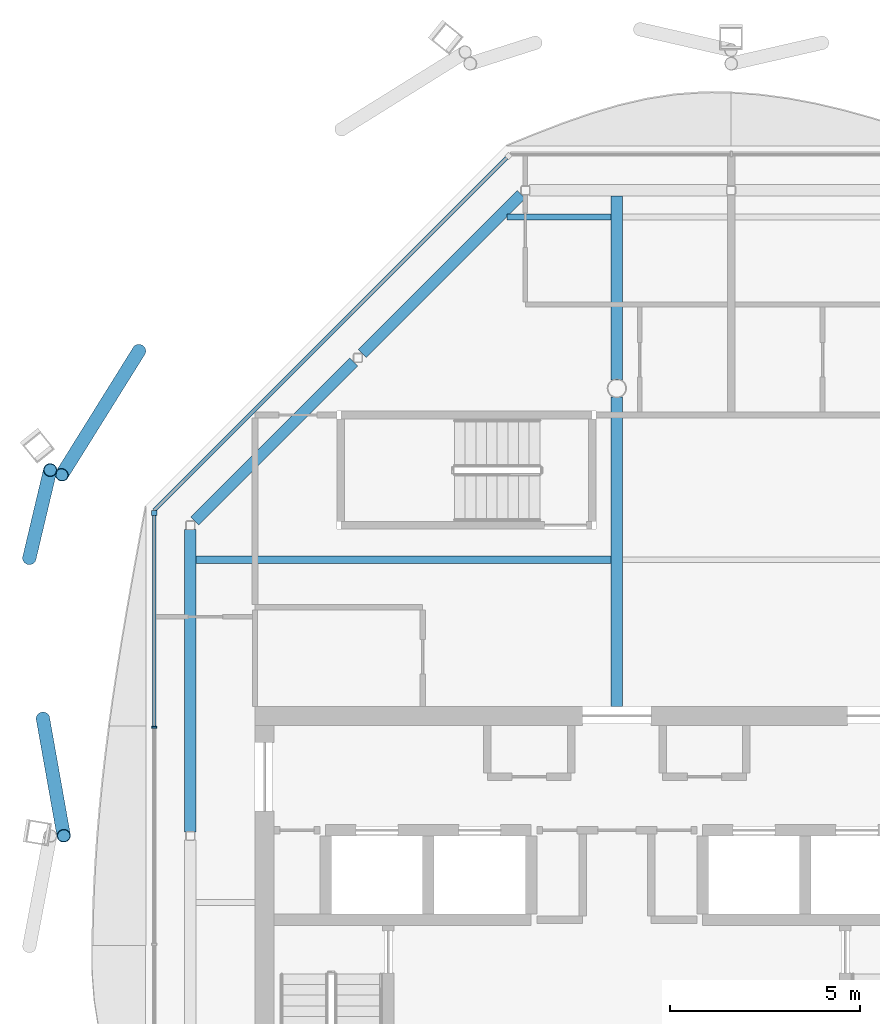
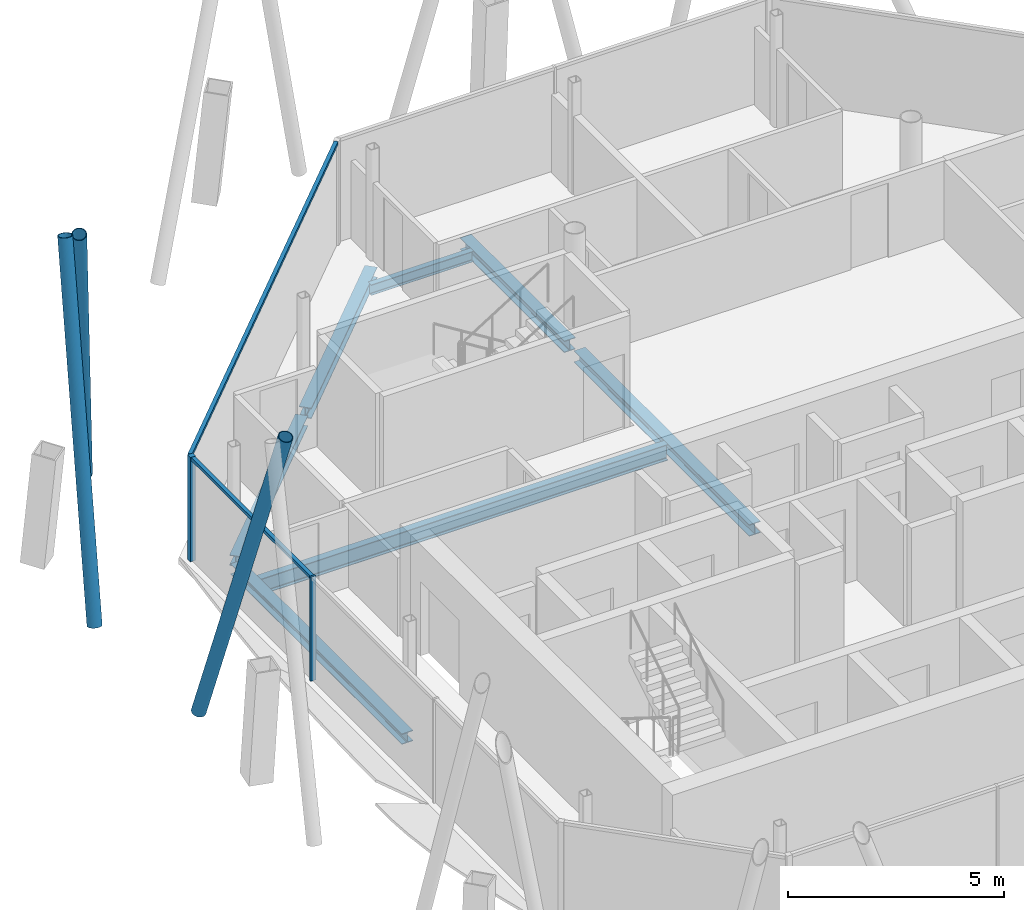
# One storey, part 5 of 14: 7 beams, 7 members, 2 elements without a shape of their own.
"""IFC4 building model written with IfcOpenShell, lengths in metres."""

import ifcopenshell
import ifcopenshell.guid

model = None  # the IFC model being written
_history = None  # IfcOwnerHistory: only IFC2X3 demands one
_inside = {}  # id of a spatial element -> (the spatial element, [elements in it])
_under = {}  # id of a project, library or spatial element -> (it, [spatial elements below it])
_declared = {}  # id of a project -> (the project, [libraries it declares])
_typed = {}  # id of a type object -> (the type object, [elements of that type])
_made_of = {}  # id of a material, layer set ... -> (it, [elements and type objects made of it])


def new_model(schema):
    """Start an empty IFC model of exactly this schema.

    Asked for "IFC4X3", IfcOpenShell would pick the latest addendum, in which some entities
    have other attributes; the version numbers below select the first issue.
    IFC2X3 requires an IfcOwnerHistory on every rooted entity: one is made here for all.
    """
    global model, _history
    if schema == "IFC4X3":
        model = ifcopenshell.file(schema_version=(4, 3, 0, 0))
    else:
        model = ifcopenshell.file(schema=schema)
    _inside.clear()
    _under.clear()
    _declared.clear()
    _typed.clear()
    _made_of.clear()
    _history = None
    if model.schema == "IFC2X3":
        org = make("IfcOrganization", Name="unknown")
        user = make(
            "IfcPersonAndOrganization",
            ThePerson=make("IfcPerson", FamilyName="unknown"),
            TheOrganization=org,
        )
        app = make(
            "IfcApplication",
            ApplicationDeveloper=org,
            Version="unknown",
            ApplicationFullName="unknown",
            ApplicationIdentifier="unknown",
        )
        _history = make(
            "IfcOwnerHistory",
            OwningUser=user,
            OwningApplication=app,
            ChangeAction="ADDED",
            CreationDate=0,
        )
    return model


def make(cls, **values):
    """One entity of the class cls with the attributes given. An attribute that is None is left unset."""
    return model.create_entity(
        cls, **{name: value for name, value in values.items() if value is not None}
    )


def rooted(cls, **values):
    """An entity with a GlobalId (a new one), such as an element, a storey or a relation."""
    return make(cls, GlobalId=ifcopenshell.guid.new(), OwnerHistory=_history, **values)


def si_unit(unit_type, name, prefix=None):
    """IfcSIUnit, for example si_unit("LENGTHUNIT", "METRE", prefix="MILLI")."""
    return make("IfcSIUnit", UnitType=unit_type, Prefix=prefix, Name=name)


def assignment(units):
    """IfcUnitAssignment: the units of a project."""
    return None if units is None else make("IfcUnitAssignment", Units=units)


def point(xyz):
    """IfcCartesianPoint."""
    return None if xyz is None else make("IfcCartesianPoint", Coordinates=xyz)


def direction(xyz):
    """IfcDirection."""
    return None if xyz is None else make("IfcDirection", DirectionRatios=xyz)


def frame(location, z_axis=None, x_axis=None):
    """IfcAxis2Placement3D, a coordinate frame: its origin and axes. An axis left out is left unset."""
    return make(
        "IfcAxis2Placement3D",
        Location=point(location),
        Axis=direction(z_axis),
        RefDirection=direction(x_axis),
    )


def frame_2d(location, x_axis=None):
    """IfcAxis2Placement2D, a coordinate frame in the plane: its origin and x axis."""
    return make(
        "IfcAxis2Placement2D", Location=point(location), RefDirection=direction(x_axis)
    )


def origin():
    """The frame at (0, 0, 0) with its axes left unset."""
    return frame((0.0, 0.0, 0.0))


def origin_2d():
    """The frame at (0, 0) in the plane with its x axis left unset."""
    return frame_2d((0.0, 0.0))


def place(relative_to, where):
    """IfcLocalPlacement: puts the frame where relative to a parent placement (None: the world)."""
    return make(
        "IfcLocalPlacement", PlacementRelTo=relative_to, RelativePlacement=where
    )


def context(
    kind, dimensions, precision=None, world=None, true_north=None, identifier=None
):
    """IfcGeometricRepresentationContext, for example the 3D "Model" context."""
    return make(
        "IfcGeometricRepresentationContext",
        ContextIdentifier=identifier,
        ContextType=kind,
        CoordinateSpaceDimension=dimensions,
        Precision=precision,
        WorldCoordinateSystem=world,
        TrueNorth=true_north,
    )


def subcontext(parent, identifier, kind, view, scale=None):
    """IfcGeometricRepresentationSubContext, for example "Body" below "Model"."""
    return make(
        "IfcGeometricRepresentationSubContext",
        ContextIdentifier=identifier,
        ContextType=kind,
        ParentContext=parent,
        TargetScale=scale,
        TargetView=view,
    )


def project(units=None, contexts=None):
    """IfcProject with its units and contexts."""
    return rooted(
        "IfcProject",
        Name="project",
        RepresentationContexts=contexts,
        UnitsInContext=assignment(units),
    )


def spatial(cls, under=None, at=None, **own):
    """A site, building, storey or space (cls), placed at a placement, below another one or the project."""
    s = rooted(cls, ObjectPlacement=at, **own)
    if under is not None:
        _under.setdefault(under.id(), (under, []))[1].append(s)
    return s


def profile(cls, at=None, kind="AREA", **sizes):
    """A parametric profile (cls). Its sizes go by their IFC names, for example OverallWidth=200.0."""
    return make(cls, ProfileType=kind, Position=at, **sizes)


def rectangle(**sizes):
    """IfcRectangleProfileDef."""
    return profile("IfcRectangleProfileDef", **sizes)


def hollow_circle(**sizes):
    """IfcCircleHollowProfileDef."""
    return profile("IfcCircleHollowProfileDef", **sizes)


def i_section(**sizes):
    """IfcIShapeProfileDef."""
    return profile("IfcIShapeProfileDef", **sizes)


def extrude(swept, where, along, depth):
    """IfcExtrudedAreaSolid: the profile swept, set in the frame where, extruded along a direction by depth."""
    return make(
        "IfcExtrudedAreaSolid",
        SweptArea=swept,
        Position=where,
        ExtrudedDirection=direction(along),
        Depth=depth,
    )


def shape(context_of_items, identifier, shape_type, items):
    """IfcShapeRepresentation: the items that make up one representation, for example the "Body"."""
    return make(
        "IfcShapeRepresentation",
        ContextOfItems=context_of_items,
        RepresentationIdentifier=identifier,
        RepresentationType=shape_type,
        Items=items,
    )


def material(Name=None, Category=None):
    """IfcMaterial."""
    return make("IfcMaterial", Name=Name, Category=Category)


def material_profile(
    of_material, cross_section, Name=None, Category=None, Priority=None
):
    """IfcMaterialProfile: a cross section and its material."""
    return make(
        "IfcMaterialProfile",
        Name=Name,
        Material=of_material,
        Profile=cross_section,
        Priority=Priority,
        Category=Category,
    )


def profile_set(profiles, Name=None, composite=None):
    """IfcMaterialProfileSet."""
    return make(
        "IfcMaterialProfileSet",
        Name=Name,
        MaterialProfiles=profiles,
        CompositeProfile=composite,
    )


def made_of(thing, what):
    """Note that an element or type object is made of a material, layer set ...; save() writes the relation."""
    if what is not None:
        _made_of.setdefault(what.id(), (what, []))[1].append(thing)
    return thing


def type_object(cls, material=None, **own):
    """A type object (cls), such as IfcWallType, which elements share."""
    return made_of(rooted(cls, **own), material)


def element(
    cls,
    number,
    at=None,
    inside=None,
    cuts=None,
    type_object=None,
    material=None,
    context=None,
    identifier="Body",
    shape_type=None,
    held_by="IfcProductDefinitionShape",
    body=None,
    shapes=None,
    **own,
):
    """One element of the class cls, such as IfcWall. Its Tag is "e" and its number.

    at: its placement. inside: the storey or other place that contains it. cuts: it is an
    opening in that element (IfcRelVoidsElement). A single representation is given by context,
    identifier, shape_type and body (its items); several are given by shapes. held_by: the class
    of the entity that holds the representations. save() writes the other relations.
    """
    e = rooted(cls, Tag="e%d" % number, ObjectPlacement=at, **own)
    if body is not None:
        shapes = [shape(context, identifier, shape_type, body)]
    if shapes is not None:
        e.Representation = make(held_by, Representations=shapes)
    if inside is not None:
        _inside.setdefault(inside.id(), (inside, []))[1].append(e)
    if cuts is not None:
        rooted(
            "IfcRelVoidsElement", RelatingBuildingElement=cuts, RelatedOpeningElement=e
        )
    if type_object is not None:
        _typed.setdefault(type_object.id(), (type_object, []))[1].append(e)
    return made_of(e, material)


def aggregate(whole, parts):
    """IfcRelAggregates: a whole, such as a stair, and the parts it consists of."""
    return rooted("IfcRelAggregates", RelatingObject=whole, RelatedObjects=parts)


def save(model, path):
    """Write the relations noted so far, then the file.

    IfcRelAggregates (storeys below a building ...), IfcRelContainedInSpatialStructure (elements
    in a storey), IfcRelDefinesByType, IfcRelAssociatesMaterial and IfcRelDeclares: one each for
    every whole, place, type object, material and project.
    """
    for whole, parts in _under.values():
        aggregate(whole, parts)
    for where, things in _inside.values():
        rooted(
            "IfcRelContainedInSpatialStructure",
            RelatedElements=things,
            RelatingStructure=where,
        )
    for kind, things in _typed.values():
        rooted("IfcRelDefinesByType", RelatedObjects=things, RelatingType=kind)
    for what, things in _made_of.values():
        rooted("IfcRelAssociatesMaterial", RelatedObjects=things, RelatingMaterial=what)
    for by, libraries in _declared.values():
        rooted("IfcRelDeclares", RelatingContext=by, RelatedDefinitions=libraries)
    model.write(path)


model = new_model("IFC4")

# Units and contexts
model_context = context("Model", 3, precision=1e-05, world=origin(), true_north=direction((0.0, 1.0)))
body_context = subcontext(model_context, "Body", "Model", "MODEL_VIEW")
ifc_project = project(units=[si_unit("LENGTHUNIT", "METRE"), si_unit("AREAUNIT", "SQUARE_METRE"), si_unit("VOLUMEUNIT", "CUBIC_METRE"), si_unit("PLANEANGLEUNIT", "RADIAN"), si_unit("MASSUNIT", "GRAM", prefix="KILO")], contexts=[model_context])

# Site, building, storey
site_placement = place(None, origin())
site = spatial("IfcSite", under=ifc_project, at=site_placement, CompositionType="ELEMENT")
building_placement = place(site_placement, origin())
building = spatial("IfcBuilding", under=site, at=building_placement, Name="Tskaro Facet Tower", CompositionType="ELEMENT")
storey_placement = place(building_placement, frame((0.0, 0.0, 287.85009765625)))
storey = spatial("IfcBuildingStorey", under=building, at=storey_placement, Name="L77", CompositionType="ELEMENT", Elevation=287.85009765625)

# Members
ifc_material_1 = material(Name="Steel S355J2H", Category="steel")
ifc_material_profile_1 = material_profile(ifc_material_1, hollow_circle(Radius=0.177734375, WallThickness=0.01611328125, at=origin_2d()), Name="CHS 355.6x16")
ifc_profile_set_1 = profile_set([ifc_material_profile_1], Name="Steel S355J2H")
member_type_1 = type_object("IfcMemberType", Name="CHS 355.6x16 brace", PredefinedType="BRACE", material=ifc_profile_set_1)
member_1_placement = place(storey_placement, frame((-12.543701171875, 9.988037109375, 0.0), z_axis=(-0.199244037446, -0.31955632288, 0.926383057946), x_axis=(0.848569080669, -0.529084601301, 0.0)))
element("IfcMember", 1, at=member_1_placement, inside=storey, type_object=member_type_1, Name="CHS 355.6x16 XB09A/6", PredefinedType="BRACE", context=body_context, shape_type="SweptSolid", body=[
    extrude(hollow_circle(Radius=0.177734375, WallThickness=0.01611328125, at=origin_2d()), origin(), (0.0, 0.0, 1.0), 10.200927734375),
])
member_2_placement = place(storey_placement, frame((-15.072021484375, 0.33056640625, 0.0), z_axis=(0.055035696488, -0.309465427044, 0.949316712997), x_axis=(0.984551748656, 0.175093844031, 0.0)))
element("IfcMember", 2, at=member_2_placement, inside=storey, type_object=member_type_1, Name="CHS 355.6x16 XB10A/6", PredefinedType="BRACE", context=body_context, shape_type="SweptSolid", body=[
    extrude(hollow_circle(Radius=0.177734375, WallThickness=0.01611328125, at=origin_2d()), origin(), (0.0, 0.0, 1.0), 9.95458984375),
])
member_3_placement = place(storey_placement, frame((-15.427490234375, 4.54248046875, 0.0), z_axis=(0.056199727549, 0.237226491498, 0.969827398229), x_axis=(-0.97306694205, 0.23052272402, 0.0)))
element("IfcMember", 3, at=member_3_placement, inside=storey, type_object=member_type_1, Name="CHS 355.6x16 XB10B/6", PredefinedType="BRACE", context=body_context, shape_type="SweptSolid", body=[
    extrude(hollow_circle(Radius=0.177734375, WallThickness=0.01611328125, at=origin_2d()), origin(), (0.0, 0.0, 1.0), 9.743896484375),
])

# Curtain wall, members
ifc_material_2 = material(Name="Bronze anodised aluminium 6063-T6", Category="aluminium")
curtain_wall_type = type_object("IfcCurtainWallType", Name="Bronze residence curtain wall (FW3)", PredefinedType="NOTDEFINED", material=ifc_material_2)
curtain_wall_1_placement = place(storey_placement, origin())
curtain_wall_1 = element("IfcCurtainWall", 4, at=curtain_wall_1_placement, inside=storey, type_object=curtain_wall_type, Name="FW3 west facet L77", PredefinedType="NOTDEFINED")
ifc_material_profile_2 = material_profile(ifc_material_2, rectangle(XDim=0.139892578125, YDim=0.139892578125, at=origin_2d()), Name="Corner post 140x140")
ifc_profile_set_2 = profile_set([ifc_material_profile_2], Name="Bronze anodised aluminium 6063-T6")
member_type_2 = type_object("IfcMemberType", Name="FW3 bronze corner post 140x140", PredefinedType="MULLION", material=ifc_profile_set_2)
member_4_placement = place(storey_placement, frame((-12.14990234375, 5.72607421875, 0.0), z_axis=(0.0, 0.0, 1.0), x_axis=(0.0, -1.0, 0.0)))
member_4 = element("IfcMember", 5, at=member_4_placement, type_object=member_type_2, Name="FW3 west corner post", PredefinedType="MULLION", context=body_context, shape_type="SweptSolid", body=[
    extrude(rectangle(XDim=0.139892578125, YDim=0.139892578125, at=origin_2d()), origin(), (0.0, 0.0, 1.0), 2.949951171875),
])
ifc_material_profile_3 = material_profile(ifc_material_2, rectangle(XDim=0.050048828125, YDim=0.139892578125, at=origin_2d()), Name="Mullion 50x140")
ifc_profile_set_3 = profile_set([ifc_material_profile_3], Name="Bronze anodised aluminium 6063-T6")
member_type_3 = type_object("IfcMemberType", Name="FW3 bronze mullion 50x140", PredefinedType="MULLION", material=ifc_profile_set_3)
member_5_placement = place(storey_placement, frame((-12.14990234375, 0.0986328125, 0.0), z_axis=(0.0, 0.0, 1.0), x_axis=(0.0, -1.0, 0.0)))
member_5 = element("IfcMember", 6, at=member_5_placement, type_object=member_type_3, Name="FW3 west mullion 1", PredefinedType="MULLION", context=body_context, shape_type="SweptSolid", body=[
    extrude(rectangle(XDim=0.050048828125, YDim=0.139892578125, at=origin_2d()), origin(), (0.0, 0.0, 1.0), 2.949951171875),
])

# Curtain wall, member
curtain_wall_2_placement = place(storey_placement, origin())
curtain_wall_2 = element("IfcCurtainWall", 7, at=curtain_wall_2_placement, inside=storey, type_object=curtain_wall_type, Name="FW3 north-west facet L77", PredefinedType="NOTDEFINED")
ifc_material_profile_4 = material_profile(ifc_material_2, rectangle(XDim=0.10009765625, YDim=0.090087890625, at=origin_2d()), Name="Transom 100x90")
ifc_profile_set_4 = profile_set([ifc_material_profile_4], Name="Bronze anodised aluminium 6063-T6")
member_type_4 = type_object("IfcMemberType", Name="FW3 bronze transom 100x90", PredefinedType="USERDEFINED", material=ifc_profile_set_4)
member_6_placement = place(storey_placement, frame((-2.89501953125, 15.051025390625, 2.90478515625), z_axis=(-0.707097454631, -0.707116107619, 0.0), x_axis=(0.707116107619, -0.707097454631, 0.0)))
member_6 = element("IfcMember", 8, at=member_6_placement, type_object=member_type_4, Name="FW3 north-west transom 1.1", ObjectType="TRANSOM", PredefinedType="USERDEFINED", context=body_context, shape_type="SweptSolid", body=[
    extrude(rectangle(XDim=0.10009765625, YDim=0.090087890625, at=origin_2d()), origin(), (0.0, 0.0, 1.0), 13.088623046875),
])
aggregate(curtain_wall_2, [member_6])

# Member
member_7_placement = place(storey_placement, frame((-12.14990234375, 5.656005859375, 2.90478515625), z_axis=(0.0, -1.0, 0.0), x_axis=(1.0, 0.0, 0.0)))
member_7 = element("IfcMember", 9, at=member_7_placement, type_object=member_type_4, Name="FW3 west transom 1.1", ObjectType="TRANSOM", PredefinedType="USERDEFINED", context=body_context, shape_type="SweptSolid", body=[
    extrude(rectangle(XDim=0.10009765625, YDim=0.090087890625, at=origin_2d()), origin(), (0.0, 0.0, 1.0), 5.5322265625),
])

aggregate(curtain_wall_1, [member_4, member_5, member_7])

# Beams
ifc_material_3 = material(Name="Steel S355J2", Category="steel")
ifc_material_profile_5 = material_profile(ifc_material_3, i_section(OverallWidth=0.300048828125, OverallDepth=0.300048828125, WebThickness=0.010986328125, FlangeThickness=0.01904296875, FilletRadius=0.027099609375, at=origin_2d()), Name="HE 300 B")
ifc_profile_set_5 = profile_set([ifc_material_profile_5], Name="Steel S355J2")
beam_type_1 = type_object("IfcBeamType", Name="HE 300 B ring beam", PredefinedType="BEAM", material=ifc_profile_set_5)
for number, where, z_axis, x_axis, name in (
    (10, (-2.513916015625, 14.089111328125, -0.2900390625), (-0.707024112481, -0.707189440228, 0.0), (0.707189440228, -0.707024112481, 0.0), "HE 300 B EB11-6"),
    (11, (-6.911865234375, 9.690185546875, -0.2900390625), (-0.707189440228, -0.707024112481, 0.0), (0.707024112481, -0.707189440228, 0.0), "HE 300 B EB12-6"),
):
    element("IfcBeam", number, at=place(storey_placement, frame(where, z_axis=z_axis, x_axis=x_axis)), inside=storey, type_object=beam_type_1, Name=name, PredefinedType="BEAM", context=body_context, shape_type="SweptSolid", body=[
        extrude(i_section(OverallWidth=0.300048828125, OverallDepth=0.300048828125, WebThickness=0.010986328125, FlangeThickness=0.01904296875, FilletRadius=0.027099609375, at=origin_2d()), origin(), (0.0, 0.0, 1.0), 5.90673828125),
    ])
beam_1_placement = place(storey_placement, frame((-11.199951171875, 5.298095703125, -0.2900390625), z_axis=(0.0, -1.0, 0.0), x_axis=(1.0, 0.0, 0.0)))
element("IfcBeam", 12, at=beam_1_placement, inside=storey, type_object=beam_type_1, Name="HE 300 B EB13-6", PredefinedType="BEAM", context=body_context, shape_type="SweptSolid", body=[
    extrude(i_section(OverallWidth=0.300048828125, OverallDepth=0.300048828125, WebThickness=0.010986328125, FlangeThickness=0.01904296875, FilletRadius=0.027099609375, at=origin_2d()), origin(), (0.0, 0.0, 1.0), 7.943115234375),
])
ifc_material_profile_6 = material_profile(ifc_material_3, i_section(OverallWidth=0.300048828125, OverallDepth=0.330078125, WebThickness=0.009521484375, FlangeThickness=0.0166015625, FilletRadius=0.027099609375, at=origin_2d()), Name="HE 340 A")
ifc_profile_set_6 = profile_set([ifc_material_profile_6], Name="Steel S355J2")
beam_type_2 = type_object("IfcBeamType", Name="HE 340 A girder", PredefinedType="BEAM", material=ifc_profile_set_6)
beam_2_placement = place(storey_placement, frame((0.0, 0.64990234375, -0.30517578125), z_axis=(0.0, 1.0, 0.0), x_axis=(-1.0, 0.0, 0.0)))
element("IfcBeam", 13, at=beam_2_placement, inside=storey, type_object=beam_type_2, Name="HE 340 A GB4-2-6", PredefinedType="BEAM", context=body_context, shape_type="SweptSolid", body=[
    extrude(i_section(OverallWidth=0.300048828125, OverallDepth=0.330078125, WebThickness=0.009521484375, FlangeThickness=0.0166015625, FilletRadius=0.027099609375, at=origin_2d()), origin(), (0.0, 0.0, 1.0), 8.1259765625),
])
beam_3_placement = place(storey_placement, frame((0.0, 9.22412109375, -0.30517578125), z_axis=(0.0, 1.0, 0.0), x_axis=(-1.0, 0.0, 0.0)))
element("IfcBeam", 14, at=beam_3_placement, inside=storey, type_object=beam_type_2, Name="HE 340 A GB4-3-6", PredefinedType="BEAM", context=body_context, shape_type="SweptSolid", body=[
    extrude(i_section(OverallWidth=0.300048828125, OverallDepth=0.330078125, WebThickness=0.009521484375, FlangeThickness=0.0166015625, FilletRadius=0.027099609375, at=origin_2d()), origin(), (0.0, 0.0, 1.0), 4.825927734375),
])
ifc_material_profile_7 = material_profile(ifc_material_3, i_section(OverallWidth=0.14990234375, OverallDepth=0.300048828125, WebThickness=0.007080078125, FlangeThickness=0.0107421875, FilletRadius=0.014892578125, at=origin_2d()), Name="IPE 300")
ifc_profile_set_7 = profile_set([ifc_material_profile_7], Name="Steel S355J2")
beam_type_3 = type_object("IfcBeamType", Name="IPE 300 secondary beam", PredefinedType="BEAM", material=ifc_profile_set_7)
beam_4_placement = place(storey_placement, frame((-2.89111328125, 13.5, -0.2900390625), z_axis=(1.0, 0.0, 0.0), x_axis=(0.0, 1.0, 0.0)))
element("IfcBeam", 15, at=beam_4_placement, inside=storey, type_object=beam_type_3, Name="IPE 300 SB5a-1-6", PredefinedType="BEAM", context=body_context, shape_type="SweptSolid", body=[
    extrude(i_section(OverallWidth=0.14990234375, OverallDepth=0.300048828125, WebThickness=0.007080078125, FlangeThickness=0.0107421875, FilletRadius=0.014892578125, at=origin_2d()), origin(), (0.0, 0.0, 1.0), 2.7412109375),
])
ifc_material_profile_8 = material_profile(ifc_material_3, i_section(OverallWidth=0.18994140625, OverallDepth=0.449951171875, WebThickness=0.009521484375, FlangeThickness=0.0146484375, FilletRadius=0.02099609375, at=origin_2d()), Name="IPE 450")
ifc_profile_set_8 = profile_set([ifc_material_profile_8], Name="Steel S355J2")
beam_type_4 = type_object("IfcBeamType", Name="IPE 450 long secondary beam", PredefinedType="BEAM", material=ifc_profile_set_8)
beam_5_placement = place(storey_placement, frame((-11.050048828125, 4.5, -0.364990234375), z_axis=(1.0, 0.0, 0.0), x_axis=(0.0, 1.0, 0.0)))
element("IfcBeam", 16, at=beam_5_placement, inside=storey, type_object=beam_type_4, Name="IPE 450 LSB4a-1-6", PredefinedType="BEAM", context=body_context, shape_type="SweptSolid", body=[
    extrude(i_section(OverallWidth=0.18994140625, OverallDepth=0.449951171875, WebThickness=0.009521484375, FlangeThickness=0.0146484375, FilletRadius=0.02099609375, at=origin_2d()), origin(), (0.0, 0.0, 1.0), 10.900146484375),
])

save(model, "model.ifc")
